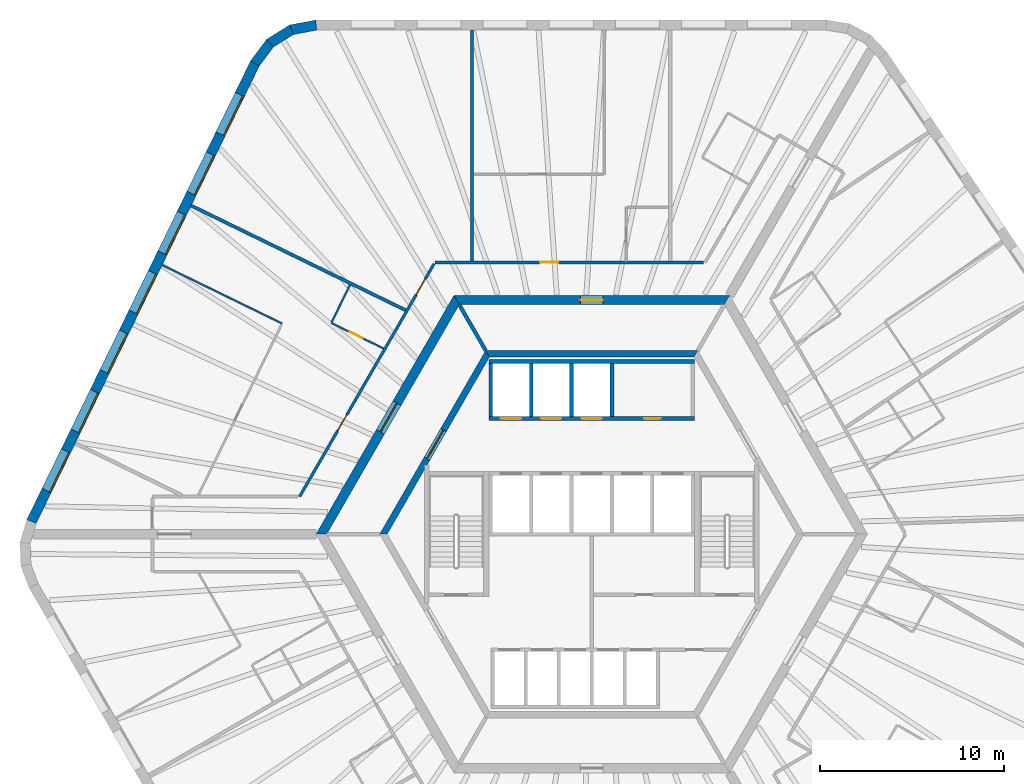
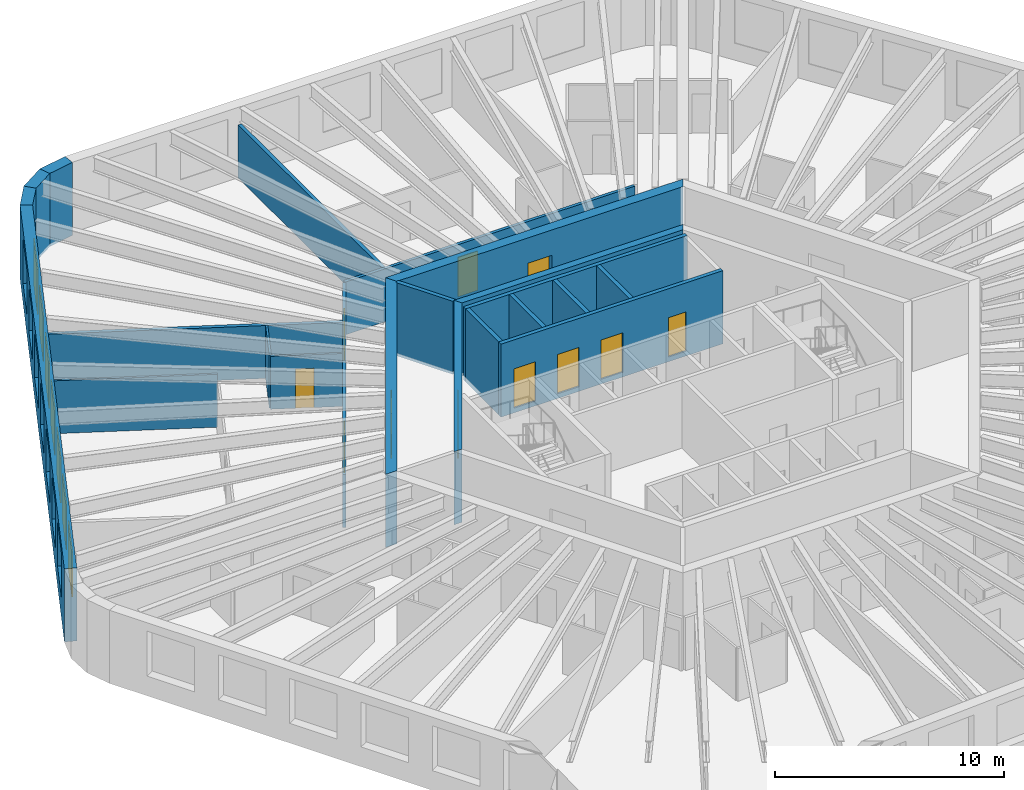
# One storey, part 7 of 10: 22 walls, 11 doors, 7 windows, 18 openings.
"""IFC4 building model written with IfcOpenShell, lengths in metres."""

from ifc_helpers import new_model, si_unit, direction, frame, frame_2d, origin, place, context, subcontext, project, spatial, polyline, rectangle, outline, extrude, material, layer, layer_set, type_object, element, fill, save


model = new_model("IFC4")

# Units and contexts
model_context = context("Model", 3, precision=1e-05, world=origin(), true_north=direction((0.0, 1.0)))
body_context = subcontext(model_context, "Body", "Model", "MODEL_VIEW")
ifc_project = project(units=[si_unit("LENGTHUNIT", "METRE"), si_unit("AREAUNIT", "SQUARE_METRE"), si_unit("VOLUMEUNIT", "CUBIC_METRE"), si_unit("PLANEANGLEUNIT", "RADIAN"), si_unit("MASSUNIT", "GRAM", prefix="KILO")], contexts=[model_context])

# Site, building, storey
site_placement = place(None, origin())
site = spatial("IfcSite", under=ifc_project, at=site_placement, CompositionType="ELEMENT")
building_placement = place(site_placement, origin())
building = spatial("IfcBuilding", under=site, at=building_placement, Name="Tarnside Tower", CompositionType="ELEMENT")
storey_placement = place(building_placement, frame((0.0, 0.0, 160.5)))
storey = spatial("IfcBuildingStorey", under=building, at=storey_placement, Name="L37", CompositionType="ELEMENT", Elevation=160.5)

# Wall, opening, door
ifc_material_1 = material(Name="Gypsum board partition on steel studs", Category="steel")
ifc_layer_1 = layer(ifc_material_1, 0.10009765625)
ifc_layer_set_1 = layer_set([ifc_layer_1], Name="Bathroom wall 100")
wall_type_1 = type_object("IfcWallType", Name="Bathroom wall 100", PredefinedType="PARTITIONING", material=ifc_layer_set_1)
wall_1_placement = place(storey_placement, frame((-11.338134765625, 10.111572265625, 0.0), z_axis=(0.0, 0.0, 1.0), x_axis=(-0.898781792608, 0.438396269688, 0.0)))
wall_1 = element("IfcWall", 1, at=wall_1_placement, inside=storey, type_object=wall_type_1, Name="Bathroom wall 11061", PredefinedType="PARTITIONING", context=body_context, shape_type="SweptSolid", body=[
    extrude(rectangle(XDim=3.164306640625, YDim=0.10009765625, at=frame_2d((1.58203125, 0.0))), origin(), (0.0, 0.0, 1.0), 2.823486328125),
])
opening_1_placement = place(wall_1_placement, frame((1.26416015625, 0.0, 0.0)))
opening_1 = element("IfcOpeningElement", 2, at=opening_1_placement, cuts=wall_1, Name="Opening D-B1", PredefinedType="OPENING", context=body_context, shape_type="SweptSolid", body=[
    extrude(rectangle(XDim=0.800048828125, YDim=2.10009765625, at=frame_2d((0.39990234375, 1.050048828125))), frame((0.0, 0.06005859375, 0.0), z_axis=(0.0, -1.0, 0.0), x_axis=(1.0, 0.0, 0.0)), (0.0, 0.0, 1.0), 0.1201171875),
])
ifc_material_2 = material(Name="Timber door leaf", Category="wood")
door_type_1 = type_object("IfcDoorType", Name="Bathroom door 800", OperationType="NOTDEFINED", PredefinedType="DOOR", material=ifc_material_2)
door_1_placement = place(opening_1_placement, origin())
door_1 = element("IfcDoor", 3, at=door_1_placement, inside=storey, type_object=door_type_1, Name="Bathroom door 11008", OperationType="SINGLE_SWING_LEFT", OverallHeight=2.10009765625, OverallWidth=0.800048828125, PredefinedType="DOOR", context=body_context, shape_type="SweptSolid", body=[
    extrude(rectangle(XDim=0.800048828125, YDim=2.10009765625, at=frame_2d((0.39990234375, 1.050048828125))), frame((0.0, 0.02490234375, 0.0), z_axis=(0.0, -1.0, 0.0), x_axis=(1.0, 0.0, 0.0)), (0.0, 0.0, 1.0), 0.050048828125),
])
fill(opening_1, door_1)

# Wall
wall_2_placement = place(storey_placement, frame((-14.160400390625, 11.543701171875, 0.0), z_axis=(0.0, 0.0, 1.0), x_axis=(0.438376807268, 0.898791285477, 0.0)))
element("IfcWall", 4, at=wall_2_placement, inside=storey, type_object=wall_type_1, Name="Bathroom wall 11062", PredefinedType="PARTITIONING", context=body_context, shape_type="SweptSolid", body=[
    extrude(rectangle(XDim=2.260009765625, YDim=0.10009765625, at=frame_2d((1.1298828125, 0.0))), origin(), (0.0, 0.0, 1.0), 2.823486328125),
])

# Wall, opening, door
ifc_material_3 = material(Name="Concrete C50/60", Category="concrete")
ifc_layer_2 = layer(ifc_material_3, 0.35009765625)
ifc_layer_set_2 = layer_set([ifc_layer_2], Name="Core block wall 350 C50/60")
wall_type_2 = type_object("IfcWallType", Name="Core block wall 350 C50/60", PredefinedType="SHEAR", material=ifc_layer_set_2)
wall_3_placement = place(storey_placement, frame((-5.672607421875, 9.824951171875, -0.14990234375), z_axis=(0.0, 0.0, 1.0), x_axis=(-0.499995046907, -0.866028263435, 0.0)))
wall_3 = element("IfcWall", 5, at=wall_3_placement, inside=storey, type_object=wall_type_2, Name="L37 core block wall face 2", PredefinedType="SHEAR", context=body_context, shape_type="SweptSolid", body=[
    extrude(outline(polyline([(-0.10107421875, -0.175048828125), (11.44580078125, -0.175048828125), (11.24365234375, 0.175048828125), (0.10107421875, 0.175048828125), (-0.10107421875, -0.175048828125)])), origin(), (0.0, 0.0, 1.0), 3.89990234375),
])
opening_2_placement = place(wall_3_placement, frame((4.80126953125, 0.0, 0.14990234375)))
opening_2 = element("IfcOpeningElement", 6, at=opening_2_placement, cuts=wall_3, Name="Opening CD-LOB", PredefinedType="OPENING", context=body_context, shape_type="SweptSolid", body=[
    extrude(rectangle(XDim=1.800048828125, YDim=2.39990234375, at=frame_2d((0.89990234375, 1.199951171875))), frame((0.0, 0.18505859375, 0.0), z_axis=(0.0, -1.0, 0.0), x_axis=(1.0, 0.0, 0.0)), (0.0, 0.0, 1.0), 0.3701171875),
])
ifc_material_4 = material(Name="Steel fire door", Category="steel")
door_type_2 = type_object("IfcDoorType", Name="Lobby double door FD30S 1800x2400", OperationType="NOTDEFINED", PredefinedType="DOOR", material=ifc_material_4)
door_2_placement = place(opening_2_placement, origin())
door_2 = element("IfcDoor", 7, at=door_2_placement, inside=storey, type_object=door_type_2, Name="L37 lobby block door P1", OperationType="DOUBLE_DOOR_SINGLE_SWING", OverallHeight=2.39990234375, OverallWidth=1.800048828125, PredefinedType="DOOR", context=body_context, shape_type="SweptSolid", body=[
    extrude(rectangle(XDim=1.800048828125, YDim=2.39990234375, at=frame_2d((0.89990234375, 1.199951171875))), frame((0.0, 0.02490234375, 0.0), z_axis=(0.0, -1.0, 0.0), x_axis=(1.0, 0.0, 0.0)), (0.0, 0.0, 1.0), 0.050048828125),
])
fill(opening_2, door_2)

# Wall
wall_4_placement = place(storey_placement, frame((5.672607421875, 9.824951171875, -0.14990234375), z_axis=(0.0, 0.0, 1.0), x_axis=(-1.0, 0.0, 0.0)))
element("IfcWall", 8, at=wall_4_placement, inside=storey, type_object=wall_type_2, Name="L37 core block wall face 1", PredefinedType="SHEAR", context=body_context, shape_type="SweptSolid", body=[
    extrude(outline(polyline([(-0.10107421875, -0.175048828125), (11.4462890625, -0.175048828125), (11.244140625, 0.175048828125), (0.10107421875, 0.175048828125), (-0.10107421875, -0.175048828125)])), origin(), (0.0, 0.0, 1.0), 3.89990234375),
])

# Wall, opening, door
ifc_material_5 = material(Name="Concrete C70/85", Category="concrete")
ifc_layer_3 = layer(ifc_material_5, 0.5)
ifc_layer_set_3 = layer_set([ifc_layer_3], Name="Core wall Z2 500 C70/85")
wall_type_3 = type_object("IfcWallType", Name="Core wall Z2 500 C70/85", PredefinedType="SHEAR", material=ifc_layer_set_3)
wall_5_placement = place(storey_placement, frame((-7.361083984375, 12.75, -0.14990234375), z_axis=(0.0, 0.0, 1.0), x_axis=(-0.50000571537, -0.866022103989, 0.0)))
wall_5 = element("IfcWall", 9, at=wall_5_placement, inside=storey, type_object=wall_type_3, Name="L37 core wall face 2", PredefinedType="SHEAR", context=body_context, shape_type="SweptSolid", body=[
    extrude(outline(polyline([(-0.144287109375, -0.25), (14.86669921875, -0.25), (14.578125, 0.25), (0.144287109375, 0.25), (-0.144287109375, -0.25)])), origin(), (0.0, 0.0, 1.0), 3.89990234375),
])
opening_3_placement = place(wall_5_placement, frame((6.489990234375, 0.0, 0.14990234375)))
opening_3 = element("IfcOpeningElement", 10, at=opening_3_placement, cuts=wall_5, Name="Opening CD-LOB", PredefinedType="OPENING", context=body_context, shape_type="SweptSolid", body=[
    extrude(rectangle(XDim=1.800048828125, YDim=2.39990234375, at=frame_2d((0.89990234375, 1.199951171875))), frame((0.0, 0.260009765625, 0.0), z_axis=(0.0, -1.0, 0.0), x_axis=(1.0, 0.0, 0.0)), (0.0, 0.0, 1.0), 0.52001953125),
])
door_3_placement = place(opening_3_placement, origin())
door_3 = element("IfcDoor", 11, at=door_3_placement, inside=storey, type_object=door_type_2, Name="L37 core door P1", OperationType="DOUBLE_DOOR_SINGLE_SWING", OverallHeight=2.39990234375, OverallWidth=1.800048828125, PredefinedType="DOOR", context=body_context, shape_type="SweptSolid", body=[
    extrude(rectangle(XDim=1.800048828125, YDim=2.39990234375, at=frame_2d((0.89990234375, 1.199951171875))), frame((0.0, 0.02490234375, 0.0), z_axis=(0.0, -1.0, 0.0), x_axis=(1.0, 0.0, 0.0)), (0.0, 0.0, 1.0), 0.050048828125),
])
fill(opening_3, door_3)

wall_6_placement = place(storey_placement, frame((7.361083984375, 12.75, -0.14990234375), z_axis=(0.0, 0.0, 1.0), x_axis=(-1.0, 0.0, 0.0)))
wall_6 = element("IfcWall", 12, at=wall_6_placement, inside=storey, type_object=wall_type_3, Name="L37 core wall face 1", PredefinedType="SHEAR", context=body_context, shape_type="SweptSolid", body=[
    extrude(outline(polyline([(-0.144287109375, -0.25), (14.866455078125, -0.25), (14.577880859375, 0.25), (0.144287109375, 0.25), (-0.144287109375, -0.25)])), origin(), (0.0, 0.0, 1.0), 3.89990234375),
])
opening_4_placement = place(wall_6_placement, frame((6.76123046875, 0.0, 0.14990234375)))
opening_4 = element("IfcOpeningElement", 13, at=opening_4_placement, cuts=wall_6, Name="Opening CD-RSR", PredefinedType="OPENING", context=body_context, shape_type="SweptSolid", body=[
    extrude(rectangle(XDim=1.199951171875, YDim=2.39990234375, at=frame_2d((0.60009765625, 1.199951171875))), frame((0.0, 0.260009765625, 0.0), z_axis=(0.0, -1.0, 0.0), x_axis=(1.0, 0.0, 0.0)), (0.0, 0.0, 1.0), 0.52001953125),
])
door_type_3 = type_object("IfcDoorType", Name="Riser door FD60 1200x2400", OperationType="NOTDEFINED", PredefinedType="DOOR", material=ifc_material_4)
door_4_placement = place(opening_4_placement, origin())
door_4 = element("IfcDoor", 14, at=door_4_placement, inside=storey, type_object=door_type_3, Name="L37 core door S5", OperationType="SINGLE_SWING_LEFT", OverallHeight=2.39990234375, OverallWidth=1.199951171875, PredefinedType="DOOR", context=body_context, shape_type="SweptSolid", body=[
    extrude(rectangle(XDim=1.199951171875, YDim=2.39990234375, at=frame_2d((0.60009765625, 1.199951171875))), frame((0.0, 0.02490234375, 0.0), z_axis=(0.0, -1.0, 0.0), x_axis=(1.0, 0.0, 0.0)), (0.0, 0.0, 1.0), 0.050048828125),
])
fill(opening_4, door_4)

ifc_layer_4 = layer(ifc_material_1, 0.14990234375)
ifc_layer_set_4 = layer_set([ifc_layer_4], Name="Corridor wall 150 EI 60")
wall_type_4 = type_object("IfcWallType", Name="Corridor wall 150 EI 60", PredefinedType="PARTITIONING", material=ifc_layer_set_4)
wall_7_placement = place(storey_placement, frame((6.091064453125, 14.800048828125, 0.0), z_axis=(0.0, 0.0, 1.0), x_axis=(-1.0, 0.0, 0.0)))
wall_7 = element("IfcWall", 15, at=wall_7_placement, inside=storey, type_object=wall_type_4, Name="Corridor wall 11002", PredefinedType="PARTITIONING", context=body_context, shape_type="SweptSolid", body=[
    extrude(rectangle(XDim=14.6357421875, YDim=0.14990234375, at=frame_2d((7.31787109375, 0.0))), origin(), (0.0, 0.0, 1.0), 2.823486328125),
])
opening_5_placement = place(wall_7_placement, frame((7.908935546875, 0.0, 0.0)))
opening_5 = element("IfcOpeningElement", 16, at=opening_5_placement, cuts=wall_7, Name="Opening D-E1", PredefinedType="OPENING", context=body_context, shape_type="SweptSolid", body=[
    extrude(rectangle(XDim=1.0, YDim=2.10009765625, at=frame_2d((0.5, 1.050048828125))), frame((0.0, 0.0849609375, 0.0), z_axis=(0.0, -1.0, 0.0), x_axis=(1.0, 0.0, 0.0)), (0.0, 0.0, 1.0), 0.169921875),
])
door_type_4 = type_object("IfcDoorType", Name="Unit entrance door 1000 FD30S", OperationType="NOTDEFINED", PredefinedType="DOOR", material=ifc_material_2)
door_5_placement = place(opening_5_placement, origin())
door_5 = element("IfcDoor", 17, at=door_5_placement, inside=storey, type_object=door_type_4, Name="Unit door 11003", OperationType="SINGLE_SWING_RIGHT", OverallHeight=2.10009765625, OverallWidth=1.0, PredefinedType="DOOR", context=body_context, shape_type="SweptSolid", body=[
    extrude(rectangle(XDim=1.0, YDim=2.10009765625, at=frame_2d((0.5, 1.050048828125))), frame((0.0, 0.02490234375, 0.0), z_axis=(0.0, -1.0, 0.0), x_axis=(1.0, 0.0, 0.0)), (0.0, 0.0, 1.0), 0.050048828125),
])
fill(opening_5, door_5)

# Wall, openings, doors
wall_8_placement = place(storey_placement, frame((-8.588134765625, 14.72509765625, 0.0), z_axis=(0.0, 0.0, 1.0), x_axis=(-0.499996322767, -0.866027526826, 0.0)))
wall_8 = element("IfcWall", 18, at=wall_8_placement, inside=storey, type_object=wall_type_4, Name="Corridor wall 11009", PredefinedType="PARTITIONING", context=body_context, shape_type="SweptSolid", body=[
    extrude(rectangle(XDim=14.6357421875, YDim=0.14990234375, at=frame_2d((7.31787109375, 0.0))), origin(), (0.0, 0.0, 1.0), 2.823486328125),
])
opening_6_placement = place(wall_8_placement, frame((0.936279296875, 0.0, 0.0)))
opening_6 = element("IfcOpeningElement", 19, at=opening_6_placement, cuts=wall_8, Name="Opening D-E1", PredefinedType="OPENING", context=body_context, shape_type="SweptSolid", body=[
    extrude(rectangle(XDim=1.0, YDim=2.10009765625, at=frame_2d((0.5, 1.050048828125))), frame((0.0, 0.0849609375, 0.0), z_axis=(0.0, -1.0, 0.0), x_axis=(1.0, 0.0, 0.0)), (0.0, 0.0, 1.0), 0.169921875),
])
opening_7_placement = place(wall_8_placement, frame((9.49462890625, 0.0, 0.0)))
opening_7 = element("IfcOpeningElement", 20, at=opening_7_placement, cuts=wall_8, Name="Opening D-E1", PredefinedType="OPENING", context=body_context, shape_type="SweptSolid", body=[
    extrude(rectangle(XDim=1.0, YDim=2.10009765625, at=frame_2d((0.5, 1.050048828125))), frame((0.0, 0.0849609375, 0.0), z_axis=(0.0, -1.0, 0.0), x_axis=(1.0, 0.0, 0.0)), (0.0, 0.0, 1.0), 0.169921875),
])
door_6_placement = place(opening_6_placement, origin())
door_6 = element("IfcDoor", 21, at=door_6_placement, inside=storey, type_object=door_type_4, Name="Unit door 11006", OperationType="SINGLE_SWING_RIGHT", OverallHeight=2.10009765625, OverallWidth=1.0, PredefinedType="DOOR", context=body_context, shape_type="SweptSolid", body=[
    extrude(rectangle(XDim=1.0, YDim=2.10009765625, at=frame_2d((0.5, 1.050048828125))), frame((0.0, 0.02490234375, 0.0), z_axis=(0.0, -1.0, 0.0), x_axis=(1.0, 0.0, 0.0)), (0.0, 0.0, 1.0), 0.050048828125),
])
fill(opening_6, door_6)
door_7_placement = place(opening_7_placement, origin())
door_7 = element("IfcDoor", 22, at=door_7_placement, inside=storey, type_object=door_type_4, Name="Unit door 11007", OperationType="SINGLE_SWING_RIGHT", OverallHeight=2.10009765625, OverallWidth=1.0, PredefinedType="DOOR", context=body_context, shape_type="SweptSolid", body=[
    extrude(rectangle(XDim=1.0, YDim=2.10009765625, at=frame_2d((0.5, 1.050048828125))), frame((0.0, 0.02490234375, 0.0), z_axis=(0.0, -1.0, 0.0), x_axis=(1.0, 0.0, 0.0)), (0.0, 0.0, 1.0), 0.050048828125),
])
fill(opening_7, door_7)

# Walls
ifc_layer_5 = layer(ifc_material_1, 0.179931640625)
ifc_layer_set_5 = layer_set([ifc_layer_5], Name="Demising wall 180 EI 60")
wall_type_5 = type_object("IfcWallType", Name="Demising wall 180 EI 60", PredefinedType="PARTITIONING", material=ifc_layer_set_5)
wall_9_placement = place(storey_placement, frame((-6.517822265625, 27.449951171875, 0.0), z_axis=(0.0, 0.0, 1.0), x_axis=(0.0, -1.0, 0.0)))
element("IfcWall", 23, at=wall_9_placement, inside=storey, type_object=wall_type_5, Name="Demising wall 11057", PredefinedType="PARTITIONING", context=body_context, shape_type="SweptSolid", body=[
    extrude(rectangle(XDim=12.574951171875, YDim=0.179931640625, at=frame_2d((6.28759765625, 0.0))), origin(), (0.0, 0.0, 1.0), 2.823486328125),
])
wall_10_placement = place(storey_placement, frame((-21.814697265625, 17.8916015625, 0.0), z_axis=(0.0, 0.0, 1.0), x_axis=(0.898798778742, -0.43836144371, 0.0)))
element("IfcWall", 24, at=wall_10_placement, inside=storey, type_object=wall_type_5, Name="Demising wall 11059", PredefinedType="PARTITIONING", context=body_context, shape_type="SweptSolid", body=[
    extrude(rectangle(XDim=12.994384765625, YDim=0.179931640625, at=frame_2d((6.4970703125, 0.0))), origin(), (0.0, 0.0, 1.0), 2.823486328125),
])

# Wall, openings, doors
ifc_material_6 = material(Name="Concrete C40/50", Category="concrete")
ifc_layer_6 = layer(ifc_material_6, 0.199951171875)
ifc_layer_set_6 = layer_set([ifc_layer_6], Name="Lift shaft wall 200 C40/50")
wall_type_6 = type_object("IfcWallType", Name="Lift shaft wall 200 C40/50", PredefinedType="SHEAR", material=ifc_layer_set_6)
wall_11_placement = place(storey_placement, frame((-5.60009765625, 6.300048828125, -0.25), z_axis=(0.0, 0.0, 1.0), x_axis=(1.0, 0.0, 0.0)))
wall_11 = element("IfcWall", 25, at=wall_11_placement, inside=storey, type_object=wall_type_6, Name="L37 lift shaft front wall R1", PredefinedType="SHEAR", context=body_context, shape_type="SweptSolid", body=[
    extrude(rectangle(XDim=11.2001953125, YDim=0.199951171875, at=frame_2d((5.60009765625, 0.0))), origin(), (0.0, 0.0, 1.0), 3.89990234375),
])
opening_8_placement = place(wall_11_placement, frame((8.449951171875, 0.0, 0.25)))
opening_8 = element("IfcOpeningElement", 26, at=opening_8_placement, cuts=wall_11, Name="Opening CD-room", PredefinedType="OPENING", context=body_context, shape_type="SweptSolid", body=[
    extrude(rectangle(XDim=0.89990234375, YDim=2.10009765625, at=frame_2d((0.449951171875, 1.050048828125))), frame((0.0, 0.10986328125, 0.0), z_axis=(0.0, -1.0, 0.0), x_axis=(1.0, 0.0, 0.0)), (0.0, 0.0, 1.0), 0.219970703125),
])
opening_9_placement = place(wall_11_placement, frame((0.64990234375, 0.0, 0.25)))
opening_9 = element("IfcOpeningElement", 27, at=opening_9_placement, cuts=wall_11, Name="Opening LD", PredefinedType="OPENING", context=body_context, shape_type="SweptSolid", body=[
    extrude(rectangle(XDim=1.10009765625, YDim=2.10009765625, at=frame_2d((0.550048828125, 1.050048828125))), frame((0.0, 0.10986328125, 0.0), z_axis=(0.0, -1.0, 0.0), x_axis=(1.0, 0.0, 0.0)), (0.0, 0.0, 1.0), 0.219970703125),
])
opening_10_placement = place(wall_11_placement, frame((2.85009765625, 0.0, 0.25)))
opening_10 = element("IfcOpeningElement", 28, at=opening_10_placement, cuts=wall_11, Name="Opening LD", PredefinedType="OPENING", context=body_context, shape_type="SweptSolid", body=[
    extrude(rectangle(XDim=1.10009765625, YDim=2.10009765625, at=frame_2d((0.550048828125, 1.050048828125))), frame((0.0, 0.10986328125, 0.0), z_axis=(0.0, -1.0, 0.0), x_axis=(1.0, 0.0, 0.0)), (0.0, 0.0, 1.0), 0.219970703125),
])
opening_11_placement = place(wall_11_placement, frame((5.050048828125, 0.0, 0.25)))
opening_11 = element("IfcOpeningElement", 29, at=opening_11_placement, cuts=wall_11, Name="Opening LD", PredefinedType="OPENING", context=body_context, shape_type="SweptSolid", body=[
    extrude(rectangle(XDim=1.10009765625, YDim=2.10009765625, at=frame_2d((0.550048828125, 1.050048828125))), frame((0.0, 0.10986328125, 0.0), z_axis=(0.0, -1.0, 0.0), x_axis=(1.0, 0.0, 0.0)), (0.0, 0.0, 1.0), 0.219970703125),
])
ifc_material_7 = material(Name="Stainless steel", Category="steel")
door_type_5 = type_object("IfcDoorType", Name="Lift landing door 1100x2100", OperationType="NOTDEFINED", PredefinedType="DOOR", material=ifc_material_7)
door_8_placement = place(opening_9_placement, origin())
door_8 = element("IfcDoor", 30, at=door_8_placement, inside=storey, type_object=door_type_5, Name="Mid-rise lift 1 landing door L37", OperationType="SLIDING_TO_LEFT", OverallHeight=2.10009765625, OverallWidth=1.10009765625, PredefinedType="DOOR", context=body_context, shape_type="SweptSolid", body=[
    extrude(rectangle(XDim=1.10009765625, YDim=2.10009765625, at=frame_2d((0.550048828125, 1.050048828125))), frame((0.0, 0.02490234375, 0.0), z_axis=(0.0, -1.0, 0.0), x_axis=(1.0, 0.0, 0.0)), (0.0, 0.0, 1.0), 0.050048828125),
])
fill(opening_9, door_8)
door_9_placement = place(opening_10_placement, origin())
door_9 = element("IfcDoor", 31, at=door_9_placement, inside=storey, type_object=door_type_5, Name="Mid-rise lift 2 landing door L37", OperationType="SLIDING_TO_LEFT", OverallHeight=2.10009765625, OverallWidth=1.10009765625, PredefinedType="DOOR", context=body_context, shape_type="SweptSolid", body=[
    extrude(rectangle(XDim=1.10009765625, YDim=2.10009765625, at=frame_2d((0.550048828125, 1.050048828125))), frame((0.0, 0.02490234375, 0.0), z_axis=(0.0, -1.0, 0.0), x_axis=(1.0, 0.0, 0.0)), (0.0, 0.0, 1.0), 0.050048828125),
])
fill(opening_10, door_9)
door_10_placement = place(opening_11_placement, origin())
door_10 = element("IfcDoor", 32, at=door_10_placement, inside=storey, type_object=door_type_5, Name="Mid-rise lift 3 landing door L37", OperationType="SLIDING_TO_LEFT", OverallHeight=2.10009765625, OverallWidth=1.10009765625, PredefinedType="DOOR", context=body_context, shape_type="SweptSolid", body=[
    extrude(rectangle(XDim=1.10009765625, YDim=2.10009765625, at=frame_2d((0.550048828125, 1.050048828125))), frame((0.0, 0.02490234375, 0.0), z_axis=(0.0, -1.0, 0.0), x_axis=(1.0, 0.0, 0.0)), (0.0, 0.0, 1.0), 0.050048828125),
])
fill(opening_11, door_10)
door_type_6 = type_object("IfcDoorType", Name="Room door FD60 900x2100", OperationType="NOTDEFINED", PredefinedType="DOOR", material=ifc_material_4)
door_11_placement = place(opening_8_placement, origin())
door_11 = element("IfcDoor", 33, at=door_11_placement, inside=storey, type_object=door_type_6, Name="L37 core room door FC1", OperationType="SINGLE_SWING_LEFT", OverallHeight=2.10009765625, OverallWidth=0.89990234375, PredefinedType="DOOR", context=body_context, shape_type="SweptSolid", body=[
    extrude(rectangle(XDim=0.89990234375, YDim=2.10009765625, at=frame_2d((0.449951171875, 1.050048828125))), frame((0.0, 0.02490234375, 0.0), z_axis=(0.0, -1.0, 0.0), x_axis=(1.0, 0.0, 0.0)), (0.0, 0.0, 1.0), 0.050048828125),
])
fill(opening_8, door_11)

# Walls
wall_12_placement = place(storey_placement, frame((-5.60009765625, 9.39990234375, -0.25), z_axis=(0.0, 0.0, 1.0), x_axis=(1.0, 0.0, 0.0)))
element("IfcWall", 34, at=wall_12_placement, inside=storey, type_object=wall_type_6, Name="L37 lift shaft back wall R1", PredefinedType="SHEAR", context=body_context, shape_type="SweptSolid", body=[
    extrude(rectangle(XDim=11.2001953125, YDim=0.199951171875, at=frame_2d((5.60009765625, 0.0))), origin(), (0.0, 0.0, 1.0), 3.89990234375),
])
for number, where, z_axis, x_axis, name in (
    (35, (-5.5, 6.39990234375, -0.25), (0.0, 0.0, 1.0), (0.0, 1.0, 0.0), "L37 lift shaft partition R11"),
    (36, (-3.300048828125, 6.39990234375, -0.25), (0.0, 0.0, 1.0), (0.0, 1.0, 0.0), "L37 lift shaft partition R12"),
    (37, (-1.10009765625, 6.39990234375, -0.25), (0.0, 0.0, 1.0), (0.0, 1.0, 0.0), "L37 lift shaft partition R13"),
    (38, (1.10009765625, 6.39990234375, -0.25), (0.0, 0.0, 1.0), (0.0, 1.0, 0.0), "L37 lift shaft partition R14"),
):
    element("IfcWall", number, at=place(storey_placement, frame(where, z_axis=z_axis, x_axis=x_axis)), inside=storey, type_object=wall_type_6, Name=name, PredefinedType="SHEAR", context=body_context, shape_type="SweptSolid", body=[
        extrude(rectangle(XDim=2.900146484375, YDim=0.199951171875, at=frame_2d((1.4501953125, 0.0))), origin(), (0.0, 0.0, 1.0), 3.89990234375),
    ])
wall_13_placement = place(storey_placement, frame((-5.7734375, 10.0, -0.14990234375), z_axis=(0.0, 0.0, 1.0), x_axis=(-0.499995765644, 0.866027848477, 0.0)))
element("IfcWall", 39, at=wall_13_placement, inside=storey, type_object=wall_type_6, Name="L37 core partition AR120", PredefinedType="SHEAR", context=body_context, shape_type="SweptSolid", body=[
    extrude(rectangle(XDim=2.88671875, YDim=0.199951171875, at=frame_2d((1.443359375, 0.0))), origin(), (0.0, 0.0, 1.0), 3.89990234375),
])
ifc_layer_7 = layer(ifc_material_1, 0.10009765625)
ifc_layer_set_7 = layer_set([ifc_layer_7], Name="Partition 100")
wall_type_7 = type_object("IfcWallType", Name="Partition 100", PredefinedType="PARTITIONING", material=ifc_layer_set_7)
wall_14_placement = place(storey_placement, frame((-23.392822265625, 14.656005859375, 0.0), z_axis=(0.0, 0.0, 1.0), x_axis=(0.898794291179, -0.43837064471, 0.0)))
element("IfcWall", 40, at=wall_14_placement, inside=storey, type_object=wall_type_7, Name="Partition wall 11063", PredefinedType="PARTITIONING", context=body_context, shape_type="SweptSolid", body=[
    extrude(rectangle(XDim=7.262451171875, YDim=0.10009765625, at=frame_2d((3.63134765625, 0.0))), origin(), (0.0, 0.0, 1.0), 2.823486328125),
])
ifc_material_8 = material(Name="Facing brick", Category="masonry")
ifc_layer_8 = layer(ifc_material_8, 0.10205078125)
ifc_material_9 = material(Name="Concrete C60/75 precast", Category="concrete")
ifc_layer_9 = layer(ifc_material_9, 0.347900390625)
ifc_material_10 = material(Name="Mineral wool insulation")
ifc_layer_10 = layer(ifc_material_10, 0.10009765625)
ifc_layer_set_8 = layer_set([ifc_layer_8, ifc_layer_9, ifc_layer_10], Name="Tube wall 550 brick faced")
wall_type_8 = type_object("IfcWallType", Name="Tube wall 550 brick faced", PredefinedType="SOLIDWALL", material=ifc_layer_set_8)
wall_15_placement = place(storey_placement, frame((-14.996826171875, 27.72509765625, -0.14990234375), z_axis=(0.0, 0.0, 1.0), x_axis=(-0.982705443133, -0.185175624845, 0.0)))
element("IfcWall", 41, at=wall_15_placement, inside=storey, type_object=wall_type_8, Name="Tube wall L37 F1 chord 01", PredefinedType="SOLIDWALL", context=body_context, shape_type="SweptSolid", body=[
    extrude(outline(polyline([(-0.025634765625, -0.27490234375), (1.430908203125, -0.27490234375), (1.327392578125, 0.27490234375), (0.025634765625, 0.27490234375), (-0.025634765625, -0.27490234375)])), origin(), (0.0, 0.0, 1.0), 3.89990234375),
])
wall_16_placement = place(storey_placement, frame((-16.35205078125, 27.4697265625, -0.14990234375), z_axis=(0.0, 0.0, 1.0), x_axis=(-0.848057977594, -0.5299034503, 0.0)))
element("IfcWall", 42, at=wall_16_placement, inside=storey, type_object=wall_type_8, Name="Tube wall L37 F1 chord 02", PredefinedType="SOLIDWALL", context=body_context, shape_type="SweptSolid", body=[
    extrude(outline(polyline([(-0.0517578125, -0.27490234375), (1.4306640625, -0.27490234375), (1.3271484375, 0.27490234375), (0.0517578125, 0.27490234375), (-0.0517578125, -0.27490234375)])), origin(), (0.0, 0.0, 1.0), 3.89990234375),
])
wall_17_placement = place(storey_placement, frame((-17.521484375, 26.739013671875, -0.14990234375), z_axis=(0.0, 0.0, 1.0), x_axis=(-0.597135295884, -0.802140535324, 0.0)))
element("IfcWall", 43, at=wall_17_placement, inside=storey, type_object=wall_type_8, Name="Tube wall L37 F1 chord 03", PredefinedType="SOLIDWALL", context=body_context, shape_type="SweptSolid", body=[
    extrude(outline(polyline([(-0.0517578125, -0.27490234375), (1.40478515625, -0.27490234375), (1.353515625, 0.27490234375), (0.0517578125, 0.27490234375), (-0.0517578125, -0.27490234375)])), origin(), (0.0, 0.0, 1.0), 3.89990234375),
])

# Wall, openings, windows
wall_18_placement = place(storey_placement, frame((-18.344970703125, 25.6328125, -0.14990234375), z_axis=(0.0, 0.0, 1.0), x_axis=(-0.43837181828, -0.898793718791, 0.0)))
wall_18 = element("IfcWall", 44, at=wall_18_placement, inside=storey, type_object=wall_type_8, Name="Tube wall L37 F2 flush 04", PredefinedType="SOLIDWALL", context=body_context, shape_type="SweptSolid", body=[
    extrude(outline(polyline([(-0.025634765625, -0.27490234375), (27.7802734375, -0.27490234375), (27.7353515625, 0.27490234375), (0.025634765625, 0.27490234375), (-0.025634765625, -0.27490234375)])), origin(), (0.0, 0.0, 1.0), 3.89990234375),
])
opening_12_placement = place(wall_18_placement, frame((1.87890625, 0.0, 1.050048828125)))
opening_12 = element("IfcOpeningElement", 45, at=opening_12_placement, cuts=wall_18, Name="Opening WH", PredefinedType="OPENING", context=body_context, shape_type="SweptSolid", body=[
    extrude(rectangle(XDim=2.39990234375, YDim=2.39990234375, at=frame_2d((1.199951171875, 1.199951171875))), frame((0.0, 0.28515625, 0.0), z_axis=(0.0, -1.0, 0.0), x_axis=(1.0, 0.0, 0.0)), (0.0, 0.0, 1.0), 0.570068359375),
])
opening_13_placement = place(wall_18_placement, frame((5.47900390625, 0.0, 1.050048828125)))
opening_13 = element("IfcOpeningElement", 46, at=opening_13_placement, cuts=wall_18, Name="Opening WH", PredefinedType="OPENING", context=body_context, shape_type="SweptSolid", body=[
    extrude(rectangle(XDim=2.39990234375, YDim=2.39990234375, at=frame_2d((1.199951171875, 1.199951171875))), frame((0.0, 0.28515625, 0.0), z_axis=(0.0, -1.0, 0.0), x_axis=(1.0, 0.0, 0.0)), (0.0, 0.0, 1.0), 0.570068359375),
])
opening_14_placement = place(wall_18_placement, frame((9.078857421875, 0.0, 1.050048828125)))
opening_14 = element("IfcOpeningElement", 47, at=opening_14_placement, cuts=wall_18, Name="Opening WH", PredefinedType="OPENING", context=body_context, shape_type="SweptSolid", body=[
    extrude(rectangle(XDim=2.39990234375, YDim=2.39990234375, at=frame_2d((1.199951171875, 1.199951171875))), frame((0.0, 0.28515625, 0.0), z_axis=(0.0, -1.0, 0.0), x_axis=(1.0, 0.0, 0.0)), (0.0, 0.0, 1.0), 0.570068359375),
])
opening_15_placement = place(wall_18_placement, frame((12.678955078125, 0.0, 1.050048828125)))
opening_15 = element("IfcOpeningElement", 48, at=opening_15_placement, cuts=wall_18, Name="Opening WH", PredefinedType="OPENING", context=body_context, shape_type="SweptSolid", body=[
    extrude(rectangle(XDim=2.39990234375, YDim=2.39990234375, at=frame_2d((1.199951171875, 1.199951171875))), frame((0.0, 0.28515625, 0.0), z_axis=(0.0, -1.0, 0.0), x_axis=(1.0, 0.0, 0.0)), (0.0, 0.0, 1.0), 0.570068359375),
])
opening_16_placement = place(wall_18_placement, frame((16.27880859375, 0.0, 1.050048828125)))
opening_16 = element("IfcOpeningElement", 49, at=opening_16_placement, cuts=wall_18, Name="Opening WH", PredefinedType="OPENING", context=body_context, shape_type="SweptSolid", body=[
    extrude(rectangle(XDim=2.39990234375, YDim=2.39990234375, at=frame_2d((1.199951171875, 1.199951171875))), frame((0.0, 0.28515625, 0.0), z_axis=(0.0, -1.0, 0.0), x_axis=(1.0, 0.0, 0.0)), (0.0, 0.0, 1.0), 0.570068359375),
])
opening_17_placement = place(wall_18_placement, frame((19.87890625, 0.0, 1.050048828125)))
opening_17 = element("IfcOpeningElement", 50, at=opening_17_placement, cuts=wall_18, Name="Opening WH", PredefinedType="OPENING", context=body_context, shape_type="SweptSolid", body=[
    extrude(rectangle(XDim=2.39990234375, YDim=2.39990234375, at=frame_2d((1.199951171875, 1.199951171875))), frame((0.0, 0.28515625, 0.0), z_axis=(0.0, -1.0, 0.0), x_axis=(1.0, 0.0, 0.0)), (0.0, 0.0, 1.0), 0.570068359375),
])
opening_18_placement = place(wall_18_placement, frame((23.47900390625, 0.0, 1.050048828125)))
opening_18 = element("IfcOpeningElement", 51, at=opening_18_placement, cuts=wall_18, Name="Opening WH", PredefinedType="OPENING", context=body_context, shape_type="SweptSolid", body=[
    extrude(rectangle(XDim=2.39990234375, YDim=2.39990234375, at=frame_2d((1.199951171875, 1.199951171875))), frame((0.0, 0.28515625, 0.0), z_axis=(0.0, -1.0, 0.0), x_axis=(1.0, 0.0, 0.0)), (0.0, 0.0, 1.0), 0.570068359375),
])
ifc_material_11 = material(Name="Aluminium-framed double glazing", Category="aluminium")
window_type = type_object("IfcWindowType", Name="Hotel window 2400 x 2400", PartitioningType="DOUBLE_PANEL_VERTICAL", PredefinedType="WINDOW", material=ifc_material_11)
window_1_placement = place(opening_12_placement, frame((0.0, 0.205078125, 0.0)))
window_1 = element("IfcWindow", 52, at=window_1_placement, inside=storey, type_object=window_type, Name="E.WN.L37.F2.00", OverallHeight=2.39990234375, OverallWidth=2.39990234375, PartitioningType="DOUBLE_PANEL_VERTICAL", PredefinedType="WINDOW", context=body_context, shape_type="SweptSolid", body=[
    extrude(rectangle(XDim=2.39990234375, YDim=2.39990234375, at=frame_2d((1.199951171875, 1.199951171875))), frame((0.0, 0.030029296875, 0.0), z_axis=(0.0, -1.0, 0.0), x_axis=(1.0, 0.0, 0.0)), (0.0, 0.0, 1.0), 0.06005859375),
])
fill(opening_12, window_1)
window_2_placement = place(opening_13_placement, frame((0.0, 0.205078125, 0.0)))
window_2 = element("IfcWindow", 53, at=window_2_placement, inside=storey, type_object=window_type, Name="E.WN.L37.F2.01", OverallHeight=2.39990234375, OverallWidth=2.39990234375, PartitioningType="DOUBLE_PANEL_VERTICAL", PredefinedType="WINDOW", context=body_context, shape_type="SweptSolid", body=[
    extrude(rectangle(XDim=2.39990234375, YDim=2.39990234375, at=frame_2d((1.199951171875, 1.199951171875))), frame((0.0, 0.030029296875, 0.0), z_axis=(0.0, -1.0, 0.0), x_axis=(1.0, 0.0, 0.0)), (0.0, 0.0, 1.0), 0.06005859375),
])
fill(opening_13, window_2)
window_3_placement = place(opening_14_placement, frame((0.0, 0.205078125, 0.0)))
window_3 = element("IfcWindow", 54, at=window_3_placement, inside=storey, type_object=window_type, Name="E.WN.L37.F2.02", OverallHeight=2.39990234375, OverallWidth=2.39990234375, PartitioningType="DOUBLE_PANEL_VERTICAL", PredefinedType="WINDOW", context=body_context, shape_type="SweptSolid", body=[
    extrude(rectangle(XDim=2.39990234375, YDim=2.39990234375, at=frame_2d((1.199951171875, 1.199951171875))), frame((0.0, 0.030029296875, 0.0), z_axis=(0.0, -1.0, 0.0), x_axis=(1.0, 0.0, 0.0)), (0.0, 0.0, 1.0), 0.06005859375),
])
fill(opening_14, window_3)
window_4_placement = place(opening_15_placement, frame((0.0, 0.205078125, 0.0)))
window_4 = element("IfcWindow", 55, at=window_4_placement, inside=storey, type_object=window_type, Name="E.WN.L37.F2.03", OverallHeight=2.39990234375, OverallWidth=2.39990234375, PartitioningType="DOUBLE_PANEL_VERTICAL", PredefinedType="WINDOW", context=body_context, shape_type="SweptSolid", body=[
    extrude(rectangle(XDim=2.39990234375, YDim=2.39990234375, at=frame_2d((1.199951171875, 1.199951171875))), frame((0.0, 0.030029296875, 0.0), z_axis=(0.0, -1.0, 0.0), x_axis=(1.0, 0.0, 0.0)), (0.0, 0.0, 1.0), 0.06005859375),
])
fill(opening_15, window_4)
window_5_placement = place(opening_16_placement, frame((0.0, 0.205078125, 0.0)))
window_5 = element("IfcWindow", 56, at=window_5_placement, inside=storey, type_object=window_type, Name="E.WN.L37.F2.04", OverallHeight=2.39990234375, OverallWidth=2.39990234375, PartitioningType="DOUBLE_PANEL_VERTICAL", PredefinedType="WINDOW", context=body_context, shape_type="SweptSolid", body=[
    extrude(rectangle(XDim=2.39990234375, YDim=2.39990234375, at=frame_2d((1.199951171875, 1.199951171875))), frame((0.0, 0.030029296875, 0.0), z_axis=(0.0, -1.0, 0.0), x_axis=(1.0, 0.0, 0.0)), (0.0, 0.0, 1.0), 0.06005859375),
])
fill(opening_16, window_5)
window_6_placement = place(opening_17_placement, frame((0.0, 0.205078125, 0.0)))
window_6 = element("IfcWindow", 57, at=window_6_placement, inside=storey, type_object=window_type, Name="E.WN.L37.F2.05", OverallHeight=2.39990234375, OverallWidth=2.39990234375, PartitioningType="DOUBLE_PANEL_VERTICAL", PredefinedType="WINDOW", context=body_context, shape_type="SweptSolid", body=[
    extrude(rectangle(XDim=2.39990234375, YDim=2.39990234375, at=frame_2d((1.199951171875, 1.199951171875))), frame((0.0, 0.030029296875, 0.0), z_axis=(0.0, -1.0, 0.0), x_axis=(1.0, 0.0, 0.0)), (0.0, 0.0, 1.0), 0.06005859375),
])
fill(opening_17, window_6)
window_7_placement = place(opening_18_placement, frame((0.0, 0.205078125, 0.0)))
window_7 = element("IfcWindow", 58, at=window_7_placement, inside=storey, type_object=window_type, Name="E.WN.L37.F2.06", OverallHeight=2.39990234375, OverallWidth=2.39990234375, PartitioningType="DOUBLE_PANEL_VERTICAL", PredefinedType="WINDOW", context=body_context, shape_type="SweptSolid", body=[
    extrude(rectangle(XDim=2.39990234375, YDim=2.39990234375, at=frame_2d((1.199951171875, 1.199951171875))), frame((0.0, 0.030029296875, 0.0), z_axis=(0.0, -1.0, 0.0), x_axis=(1.0, 0.0, 0.0)), (0.0, 0.0, 1.0), 0.06005859375),
])
fill(opening_18, window_7)

save(model, "model.ifc")
